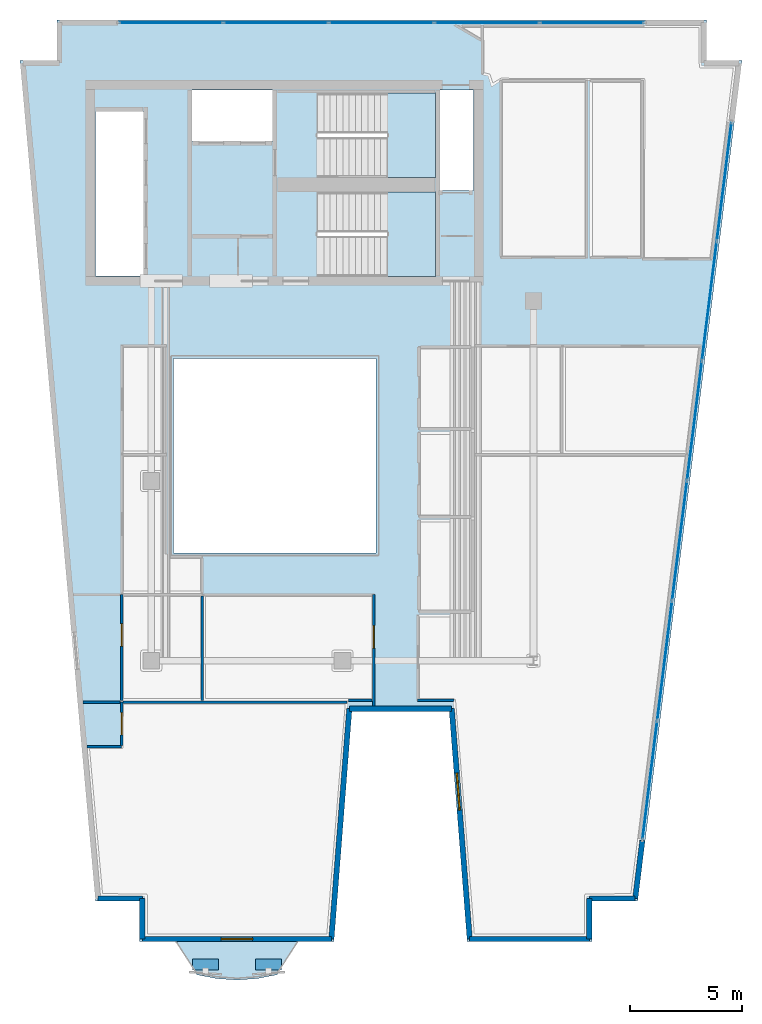
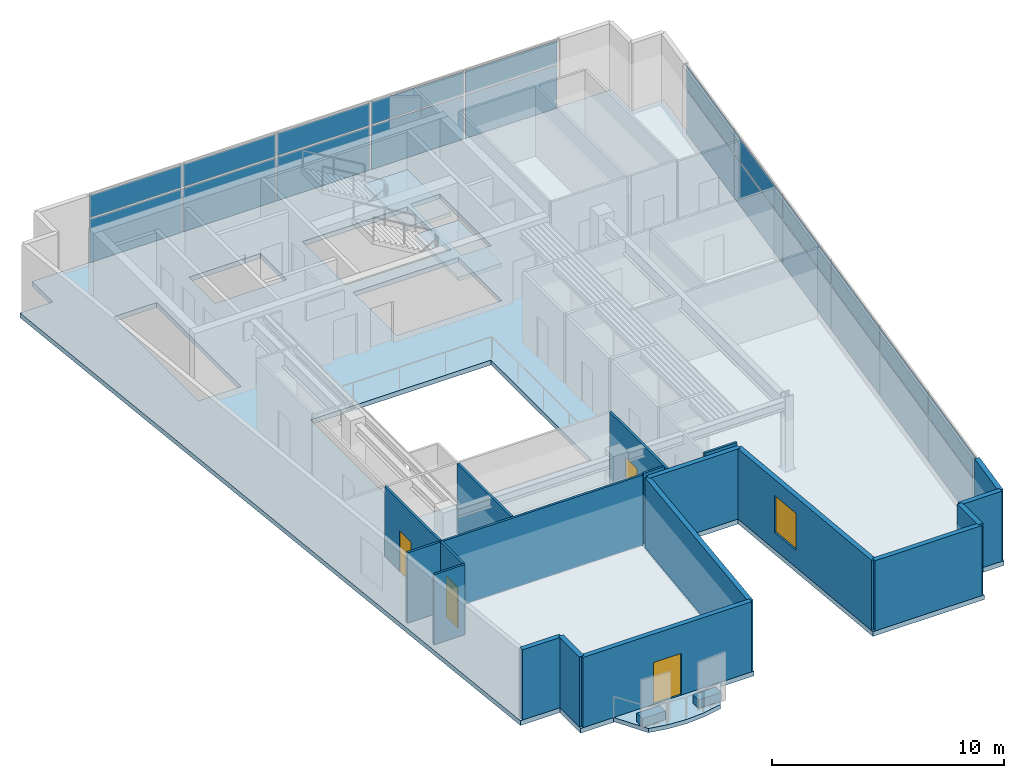
# One storey, part 3 of 8: 24 plates, 19 walls, 4 doors, 4 slabs, 1 window, 5 openings, 4 elements without a shape of their own.
"""IFC4 building model written with IfcOpenShell, lengths in metres."""

from ifc_helpers import new_model, si_unit, direction, frame, frame_2d, origin, origin_2d, place, context, subcontext, project, spatial, polyline, rectangle, outline, extrude, material, layer, layer_set, type_object, element, fill, aggregate, save


model = new_model("IFC4")

# Units and contexts
model_context = context("Model", 3, precision=1e-05, world=origin(), true_north=direction((0.0, 1.0)))
body_context = subcontext(model_context, "Body", "Model", "MODEL_VIEW")
ifc_project = project(units=[si_unit("LENGTHUNIT", "METRE"), si_unit("AREAUNIT", "SQUARE_METRE"), si_unit("VOLUMEUNIT", "CUBIC_METRE"), si_unit("PLANEANGLEUNIT", "RADIAN"), si_unit("MASSUNIT", "GRAM", prefix="KILO")], contexts=[model_context])

# Site, building, storey
site_placement = place(None, origin())
site = spatial("IfcSite", under=ifc_project, at=site_placement, CompositionType="ELEMENT")
building_placement = place(site_placement, origin())
building = spatial("IfcBuilding", under=site, at=building_placement, Name="Caeloran Harvest Quay", CompositionType="ELEMENT")
storey_placement = place(building_placement, frame((0.0, 0.0, 268.550048828125)))
storey = spatial("IfcBuildingStorey", under=building, at=storey_placement, Name="L64", CompositionType="ELEMENT", Elevation=268.550048828125)

# Slab
ifc_material_1 = material(Name="Concrete C50/60", Category="concrete")
ifc_layer_1 = layer(ifc_material_1, 0.219970703125, Name="Concrete C50/60")
ifc_layer_set_1 = layer_set([ifc_layer_1], Name="Concrete C50/60")
slab_type_1 = type_object("IfcSlabType", Name="BALCONY-BL-220", PredefinedType="FLOOR", material=ifc_layer_set_1)
slab_1_placement = place(storey_placement, frame((0.0, 0.0, -0.219970703125)))
element("IfcSlab", 1, at=slab_1_placement, inside=storey, type_object=slab_type_1, Name="L64 Scalloped Cantilevered Planted Balcony Slab", PredefinedType="FLOOR", context=body_context, shape_type="SweptSolid", body=[
    extrude(outline(polyline([(14.103515625, 1.033447265625), (13.20654296875, 0.860107421875), (12.3095703125, 0.796875), (11.41259765625, 0.860107421875), (10.515380859375, 1.033447265625), (9.630615234375, 2.5), (14.98828125, 2.5), (14.103515625, 1.033447265625)])), origin(), (0.0, 0.0, 1.0), 0.219970703125),
])

# Curtain wall, plates
ifc_material_2 = material(Name="Aluminium 6063-T6 and Low-E Glazing", Category="aluminium")
ifc_layer_2 = layer(ifc_material_2, 0.219970703125, Name="Aluminium 6063-T6 and Low-E Glazing")
ifc_layer_set_2 = layer_set([ifc_layer_2], Name="Aluminium 6063-T6 and Low-E Glazing")
curtain_wall_type = type_object("IfcCurtainWallType", Name="CW-SYS-CW-5", PredefinedType="USERDEFINED", material=ifc_layer_set_2)
curtain_wall_1_placement = place(storey_placement, origin())
curtain_wall_1 = element("IfcCurtainWall", 2, at=curtain_wall_1_placement, inside=storey, type_object=curtain_wall_type, Name="L64 Unitised Curtain Wall CW-5 Run 6", ObjectType="CURTAIN_WALL", PredefinedType="USERDEFINED")
ifc_material_3 = material(Name="Low-E Double Glazed Vision Glass Unit", Category="glass")
ifc_layer_3 = layer(ifc_material_3, 0.035888671875, Name="Low-E Double Glazed Vision Glass Unit")
ifc_layer_set_3 = layer_set([ifc_layer_3], Name="Low-E Double Glazed Vision Glass Unit")
plate_type_1 = type_object("IfcPlateType", Name="CW-VISION-PANEL", PredefinedType="CURTAIN_PANEL", material=ifc_layer_set_3)
plate_1_placement = place(storey_placement, frame((9.385986328125, 43.3798828125, 0.080078125), z_axis=(0.0, 0.0, 1.0), x_axis=(1.0, 0.0, 0.0)))
plate_1 = element("IfcPlate", 3, at=plate_1_placement, type_object=plate_type_1, Name="CW-5 panel 1.1", PredefinedType="CURTAIN_PANEL", context=body_context, shape_type="SweptSolid", body=[
    extrude(rectangle(XDim=4.572021484375, YDim=0.035888671875, at=origin_2d()), origin(), (0.0, 0.0, 1.0), 2.280029296875),
])
plate_2_placement = place(storey_placement, frame((9.385986328125, 43.3798828125, 2.43994140625), z_axis=(0.0, 0.0, 1.0), x_axis=(1.0, 0.0, 0.0)))
plate_2 = element("IfcPlate", 4, at=plate_2_placement, type_object=plate_type_1, Name="CW-5 panel 1.2", PredefinedType="CURTAIN_PANEL", context=body_context, shape_type="SweptSolid", body=[
    extrude(rectangle(XDim=4.572021484375, YDim=0.035888671875, at=origin_2d()), origin(), (0.0, 0.0, 1.0), 1.179931640625),
])
plate_3_placement = place(storey_placement, frame((14.05810546875, 43.3798828125, 0.080078125), z_axis=(0.0, 0.0, 1.0), x_axis=(1.0, 0.0, 0.0)))
plate_3 = element("IfcPlate", 5, at=plate_3_placement, type_object=plate_type_1, Name="CW-5 panel 2.1", PredefinedType="CURTAIN_PANEL", context=body_context, shape_type="SweptSolid", body=[
    extrude(rectangle(XDim=4.612060546875, YDim=0.035888671875, at=origin_2d()), origin(), (0.0, 0.0, 1.0), 2.280029296875),
])
plate_4_placement = place(storey_placement, frame((14.05810546875, 43.3798828125, 2.43994140625), z_axis=(0.0, 0.0, 1.0), x_axis=(1.0, 0.0, 0.0)))
plate_4 = element("IfcPlate", 6, at=plate_4_placement, type_object=plate_type_1, Name="CW-5 panel 2.2", PredefinedType="CURTAIN_PANEL", context=body_context, shape_type="SweptSolid", body=[
    extrude(rectangle(XDim=4.612060546875, YDim=0.035888671875, at=origin_2d()), origin(), (0.0, 0.0, 1.0), 1.179931640625),
])
plate_5_placement = place(storey_placement, frame((18.75, 43.3798828125, 0.080078125), z_axis=(0.0, 0.0, 1.0), x_axis=(1.0, 0.0, 0.0)))
plate_5 = element("IfcPlate", 7, at=plate_5_placement, type_object=plate_type_1, Name="CW-5 panel 3.1", PredefinedType="CURTAIN_PANEL", context=body_context, shape_type="SweptSolid", body=[
    extrude(rectangle(XDim=4.612060546875, YDim=0.035888671875, at=origin_2d()), origin(), (0.0, 0.0, 1.0), 2.280029296875),
])
plate_6_placement = place(storey_placement, frame((18.75, 43.3798828125, 2.43994140625), z_axis=(0.0, 0.0, 1.0), x_axis=(1.0, 0.0, 0.0)))
plate_6 = element("IfcPlate", 8, at=plate_6_placement, type_object=plate_type_1, Name="CW-5 panel 3.2", PredefinedType="CURTAIN_PANEL", context=body_context, shape_type="SweptSolid", body=[
    extrude(rectangle(XDim=4.612060546875, YDim=0.035888671875, at=origin_2d()), origin(), (0.0, 0.0, 1.0), 1.179931640625),
])
plate_7_placement = place(storey_placement, frame((23.44189453125, 43.3798828125, 0.080078125), z_axis=(0.0, 0.0, 1.0), x_axis=(1.0, 0.0, 0.0)))
plate_7 = element("IfcPlate", 9, at=plate_7_placement, type_object=plate_type_1, Name="CW-5 panel 4.1", PredefinedType="CURTAIN_PANEL", context=body_context, shape_type="SweptSolid", body=[
    extrude(rectangle(XDim=4.612060546875, YDim=0.035888671875, at=origin_2d()), origin(), (0.0, 0.0, 1.0), 2.280029296875),
])
plate_8_placement = place(storey_placement, frame((23.44189453125, 43.3798828125, 2.43994140625), z_axis=(0.0, 0.0, 1.0), x_axis=(1.0, 0.0, 0.0)))
plate_8 = element("IfcPlate", 10, at=plate_8_placement, type_object=plate_type_1, Name="CW-5 panel 4.2", PredefinedType="CURTAIN_PANEL", context=body_context, shape_type="SweptSolid", body=[
    extrude(rectangle(XDim=4.612060546875, YDim=0.035888671875, at=origin_2d()), origin(), (0.0, 0.0, 1.0), 1.179931640625),
])
plate_9_placement = place(storey_placement, frame((28.114013671875, 43.3798828125, 0.080078125), z_axis=(0.0, 0.0, 1.0), x_axis=(1.0, 0.0, 0.0)))
plate_9 = element("IfcPlate", 11, at=plate_9_placement, type_object=plate_type_1, Name="CW-5 panel 5.1", PredefinedType="CURTAIN_PANEL", context=body_context, shape_type="SweptSolid", body=[
    extrude(rectangle(XDim=4.572021484375, YDim=0.035888671875, at=origin_2d()), origin(), (0.0, 0.0, 1.0), 2.280029296875),
])
plate_10_placement = place(storey_placement, frame((28.114013671875, 43.3798828125, 2.43994140625), z_axis=(0.0, 0.0, 1.0), x_axis=(1.0, 0.0, 0.0)))
plate_10 = element("IfcPlate", 12, at=plate_10_placement, type_object=plate_type_1, Name="CW-5 panel 5.2", PredefinedType="CURTAIN_PANEL", context=body_context, shape_type="SweptSolid", body=[
    extrude(rectangle(XDim=4.572021484375, YDim=0.035888671875, at=origin_2d()), origin(), (0.0, 0.0, 1.0), 1.179931640625),
])
aggregate(curtain_wall_1, [plate_1, plate_2, plate_3, plate_4, plate_5, plate_6, plate_7, plate_8, plate_9, plate_10])

curtain_wall_2_placement = place(storey_placement, origin())
curtain_wall_2 = element("IfcCurtainWall", 13, at=curtain_wall_2_placement, inside=storey, type_object=curtain_wall_type, Name="L64 Unitised Curtain Wall CW-5 Run 9", ObjectType="CURTAIN_WALL", PredefinedType="USERDEFINED")
plate_11_placement = place(storey_placement, frame((33.987060546875, 36.313232421875, 0.080078125), z_axis=(0.0, 0.0, 1.0), x_axis=(-0.123190390176, -0.992383054958, 0.0)))
plate_11 = element("IfcPlate", 14, at=plate_11_placement, type_object=plate_type_1, Name="CW-5 panel 1.1", PredefinedType="CURTAIN_PANEL", context=body_context, shape_type="SweptSolid", body=[
    extrude(rectangle(XDim=5.254150390625, YDim=0.035888671875, at=origin_2d()), origin(), (0.0, 0.0, 1.0), 2.280029296875),
])
plate_12_placement = place(storey_placement, frame((33.987060546875, 36.313232421875, 2.43994140625), z_axis=(0.0, 0.0, 1.0), x_axis=(-0.123190390176, -0.992383054958, 0.0)))
plate_12 = element("IfcPlate", 15, at=plate_12_placement, type_object=plate_type_1, Name="CW-5 panel 1.2", PredefinedType="CURTAIN_PANEL", context=body_context, shape_type="SweptSolid", body=[
    extrude(rectangle(XDim=5.254150390625, YDim=0.035888671875, at=origin_2d()), origin(), (0.0, 0.0, 1.0), 1.179931640625),
])
plate_13_placement = place(storey_placement, frame((33.327392578125, 31.0, 0.080078125), z_axis=(0.0, 0.0, 1.0), x_axis=(-0.123190390176, -0.992383054958, 0.0)))
plate_13 = element("IfcPlate", 16, at=plate_13_placement, type_object=plate_type_1, Name="CW-5 panel 2.1", PredefinedType="CURTAIN_PANEL", context=body_context, shape_type="SweptSolid", body=[
    extrude(rectangle(XDim=5.294189453125, YDim=0.035888671875, at=origin_2d()), origin(), (0.0, 0.0, 1.0), 2.280029296875),
])
plate_14_placement = place(storey_placement, frame((33.327392578125, 31.0, 2.43994140625), z_axis=(0.0, 0.0, 1.0), x_axis=(-0.123190390176, -0.992383054958, 0.0)))
plate_14 = element("IfcPlate", 17, at=plate_14_placement, type_object=plate_type_1, Name="CW-5 panel 2.2", PredefinedType="CURTAIN_PANEL", context=body_context, shape_type="SweptSolid", body=[
    extrude(rectangle(XDim=5.294189453125, YDim=0.035888671875, at=origin_2d()), origin(), (0.0, 0.0, 1.0), 1.179931640625),
])
plate_15_placement = place(storey_placement, frame((32.665283203125, 25.666748046875, 0.080078125), z_axis=(0.0, 0.0, 1.0), x_axis=(-0.123190390176, -0.992383054958, 0.0)))
plate_15 = element("IfcPlate", 18, at=plate_15_placement, type_object=plate_type_1, Name="CW-5 panel 3.1", PredefinedType="CURTAIN_PANEL", context=body_context, shape_type="SweptSolid", body=[
    extrude(rectangle(XDim=5.294189453125, YDim=0.035888671875, at=origin_2d()), origin(), (0.0, 0.0, 1.0), 2.280029296875),
])
plate_16_placement = place(storey_placement, frame((32.665283203125, 25.666748046875, 2.43994140625), z_axis=(0.0, 0.0, 1.0), x_axis=(-0.123190390176, -0.992383054958, 0.0)))
plate_16 = element("IfcPlate", 19, at=plate_16_placement, type_object=plate_type_1, Name="CW-5 panel 3.2", PredefinedType="CURTAIN_PANEL", context=body_context, shape_type="SweptSolid", body=[
    extrude(rectangle(XDim=5.294189453125, YDim=0.035888671875, at=origin_2d()), origin(), (0.0, 0.0, 1.0), 1.179931640625),
])
plate_17_placement = place(storey_placement, frame((32.00341796875, 20.333251953125, 0.080078125), z_axis=(0.0, 0.0, 1.0), x_axis=(-0.123190390176, -0.992383054958, 0.0)))
plate_17 = element("IfcPlate", 20, at=plate_17_placement, type_object=plate_type_1, Name="CW-5 panel 4.1", PredefinedType="CURTAIN_PANEL", context=body_context, shape_type="SweptSolid", body=[
    extrude(rectangle(XDim=5.294189453125, YDim=0.035888671875, at=origin_2d()), origin(), (0.0, 0.0, 1.0), 2.280029296875),
])
plate_18_placement = place(storey_placement, frame((32.00341796875, 20.333251953125, 2.43994140625), z_axis=(0.0, 0.0, 1.0), x_axis=(-0.123190390176, -0.992383054958, 0.0)))
plate_18 = element("IfcPlate", 21, at=plate_18_placement, type_object=plate_type_1, Name="CW-5 panel 4.2", PredefinedType="CURTAIN_PANEL", context=body_context, shape_type="SweptSolid", body=[
    extrude(rectangle(XDim=5.294189453125, YDim=0.035888671875, at=origin_2d()), origin(), (0.0, 0.0, 1.0), 1.179931640625),
])
plate_19_placement = place(storey_placement, frame((31.34130859375, 15.0, 0.080078125), z_axis=(0.0, 0.0, 1.0), x_axis=(-0.123190390176, -0.992383054958, 0.0)))
plate_19 = element("IfcPlate", 22, at=plate_19_placement, type_object=plate_type_1, Name="CW-5 panel 5.1", PredefinedType="CURTAIN_PANEL", context=body_context, shape_type="SweptSolid", body=[
    extrude(rectangle(XDim=5.294189453125, YDim=0.035888671875, at=origin_2d()), origin(), (0.0, 0.0, 1.0), 2.280029296875),
])
plate_20_placement = place(storey_placement, frame((31.34130859375, 15.0, 2.43994140625), z_axis=(0.0, 0.0, 1.0), x_axis=(-0.123190390176, -0.992383054958, 0.0)))
plate_20 = element("IfcPlate", 23, at=plate_20_placement, type_object=plate_type_1, Name="CW-5 panel 5.2", PredefinedType="CURTAIN_PANEL", context=body_context, shape_type="SweptSolid", body=[
    extrude(rectangle(XDim=5.294189453125, YDim=0.035888671875, at=origin_2d()), origin(), (0.0, 0.0, 1.0), 1.179931640625),
])
plate_21_placement = place(storey_placement, frame((30.681640625, 9.686767578125, 0.080078125), z_axis=(0.0, 0.0, 1.0), x_axis=(-0.123190390176, -0.992383054958, 0.0)))
plate_21 = element("IfcPlate", 24, at=plate_21_placement, type_object=plate_type_1, Name="CW-5 panel 6.1", PredefinedType="CURTAIN_PANEL", context=body_context, shape_type="SweptSolid", body=[
    extrude(rectangle(XDim=5.254150390625, YDim=0.035888671875, at=origin_2d()), origin(), (0.0, 0.0, 1.0), 2.280029296875),
])
plate_22_placement = place(storey_placement, frame((30.681640625, 9.686767578125, 2.43994140625), z_axis=(0.0, 0.0, 1.0), x_axis=(-0.123190390176, -0.992383054958, 0.0)))
plate_22 = element("IfcPlate", 25, at=plate_22_placement, type_object=plate_type_1, Name="CW-5 panel 6.2", PredefinedType="CURTAIN_PANEL", context=body_context, shape_type="SweptSolid", body=[
    extrude(rectangle(XDim=5.254150390625, YDim=0.035888671875, at=origin_2d()), origin(), (0.0, 0.0, 1.0), 1.179931640625),
])
aggregate(curtain_wall_2, [plate_11, plate_12, plate_13, plate_14, plate_15, plate_16, plate_17, plate_18, plate_19, plate_20, plate_21, plate_22])

# Plates
ifc_material_4 = material(Name="Precast concrete C50/60", Category="concrete")
ifc_layer_4 = layer(ifc_material_4, 0.449951171875, Name="Precast concrete C50/60")
ifc_layer_set_4 = layer_set([ifc_layer_4], Name="Precast concrete C50/60")
plate_type_2 = type_object("IfcPlateType", Name="PLANTER-TROUGH-450", PredefinedType="USERDEFINED", material=ifc_layer_set_4)
for number, where, z_axis, x_axis, name in (
    (26, (13.708740234375, 1.489501953125, 0.0), (0.0, 0.0, 1.0), (1.0, 0.0, 0.0), "L64 Balcony Vertical-Greenery Precast PLANTER Trough 1"),
    (27, (10.91015625, 1.489501953125, 0.0), (0.0, 0.0, 1.0), (1.0, 0.0, 0.0), "L64 Balcony Vertical-Greenery Precast PLANTER Trough 2"),
):
    element("IfcPlate", number, at=place(storey_placement, frame(where, z_axis=z_axis, x_axis=x_axis)), inside=storey, type_object=plate_type_2, Name=name, ObjectType="PLANTER", PredefinedType="USERDEFINED", context=body_context, shape_type="SweptSolid", body=[
        extrude(rectangle(XDim=1.14990234375, YDim=0.47998046875, at=origin_2d()), origin(), (0.0, 0.0, 1.0), 0.449951171875),
    ])

# Slab
ifc_layer_5 = layer(ifc_material_1, 0.25, Name="Concrete C50/60")
ifc_layer_set_5 = layer_set([ifc_layer_5], Name="Concrete C50/60")
slab_type_2 = type_object("IfcSlabType", Name="SLAB-FS-250", PredefinedType="FLOOR", material=ifc_layer_set_5)
slab_2_placement = place(storey_placement, frame((0.0, 0.0, -0.25)))
element("IfcSlab", 28, at=slab_2_placement, inside=storey, type_object=slab_type_2, Name="L64 Structural Floor Slab", PredefinedType="FLOOR", context=body_context, shape_type="SweptSolid", body=[
    extrude(outline(polyline([(7.985595703125, 2.5), (16.62451171875, 2.5), (17.424560546875, 12.75), (21.755615234375, 12.75), (22.5556640625, 2.5), (28.110595703125, 2.5), (28.110595703125, 4.300048828125), (30.1337890625, 4.300048828125), (34.776611328125, 41.699951171875), (33.199951171875, 41.699951171875), (33.199951171875, 43.5), (4.300048828125, 43.5), (4.300048828125, 41.699951171875), (2.661865234375, 41.699951171875), (6.023681640625, 4.300048828125), (7.985595703125, 4.300048828125), (7.985595703125, 2.5)]), holes=[polyline([(18.5, 28.449951171875), (18.5, 19.800048828125), (9.5, 19.800048828125), (9.5, 28.449951171875), (18.5, 28.449951171875)]), polyline([(15.89990234375, 32.10009765625), (15.89990234375, 35.85009765625), (21.14990234375, 35.85009765625), (21.14990234375, 32.10009765625), (15.89990234375, 32.10009765625)]), polyline([(8.159912109375, 32.1201171875), (6.02001953125, 32.1201171875), (6.02001953125, 39.419921875), (8.159912109375, 39.419921875), (8.159912109375, 32.1201171875)]), polyline([(22.830078125, 40.3798828125), (22.830078125, 35.919921875), (21.35009765625, 35.919921875), (21.35009765625, 40.3798828125), (22.830078125, 40.3798828125)]), polyline([(15.89990234375, 36.5), (15.89990234375, 40.25), (21.14990234375, 40.25), (21.14990234375, 36.5), (15.89990234375, 36.5)]), polyline([(13.89990234375, 38.1201171875), (10.320068359375, 38.1201171875), (10.320068359375, 40.3798828125), (13.89990234375, 40.3798828125), (13.89990234375, 38.1201171875)])]), origin(), (0.0, 0.0, 1.0), 0.25),
])

# Stair, slab
stair_type = type_object("IfcStairType", Name="STAIR-STC-180", PredefinedType="HALF_TURN_STAIR", material=ifc_material_1)
stair_1_placement = place(storey_placement, origin())
stair_1 = element("IfcStair", 29, at=stair_1_placement, inside=storey, type_object=stair_type, Name="L64 Core Pressurized Exit Stair ST-C1", PredefinedType="HALF_TURN_STAIR")
ifc_layer_6 = layer(ifc_material_1, 0.219970703125, Name="Concrete C50/60")
ifc_layer_set_6 = layer_set([ifc_layer_6], Name="Concrete C50/60")
slab_type_3 = type_object("IfcSlabType", Name="STAIR-LANDING-220", PredefinedType="LANDING", material=ifc_layer_set_6)
slab_3_placement = place(storey_placement, frame((0.0, 0.0, 1.77490234375)))
slab_3 = element("IfcSlab", 30, at=slab_3_placement, type_object=slab_type_3, Name="ST-C1 landing 1", PredefinedType="LANDING", context=body_context, shape_type="SweptSolid", body=[
    extrude(outline(polyline([(18.97998046875, 36.5), (21.14990234375, 36.5), (21.14990234375, 40.25), (18.97998046875, 40.25), (18.97998046875, 36.5)])), origin(), (0.0, 0.0, 1.0), 0.199951171875),
])
aggregate(stair_1, [slab_3])

stair_2_placement = place(storey_placement, origin())
stair_2 = element("IfcStair", 31, at=stair_2_placement, inside=storey, type_object=stair_type, Name="L64 Core Pressurized Exit Stair ST-C2", PredefinedType="HALF_TURN_STAIR")
slab_4_placement = place(storey_placement, frame((0.0, 0.0, 1.77490234375)))
slab_4 = element("IfcSlab", 32, at=slab_4_placement, type_object=slab_type_3, Name="ST-C2 landing 1", PredefinedType="LANDING", context=body_context, shape_type="SweptSolid", body=[
    extrude(outline(polyline([(18.97998046875, 32.10009765625), (21.14990234375, 32.10009765625), (21.14990234375, 35.85009765625), (18.97998046875, 35.85009765625), (18.97998046875, 32.10009765625)])), origin(), (0.0, 0.0, 1.0), 0.199951171875),
])
aggregate(stair_2, [slab_4])

# Walls
ifc_layer_7 = layer(ifc_material_4, 0.239990234375, Name="Precast concrete C50/60")
ifc_layer_set_7 = layer_set([ifc_layer_7], Name="Precast concrete C50/60")
wall_type_1 = type_object("IfcWallType", Name="ENV-WALL-EW-240", PredefinedType="STANDARD", material=ifc_layer_set_7)
wall_1_placement = place(storey_placement, frame((8.10546875, 2.6201171875, 0.0), z_axis=(0.0, 0.0, 1.0), x_axis=(0.0, 1.0, 0.0)))
element("IfcWall", 33, at=wall_1_placement, inside=storey, type_object=wall_type_1, Name="L64 Exterior Precast Concrete Facade Wall 1", PredefinedType="STANDARD", context=body_context, shape_type="SweptSolid", body=[
    extrude(rectangle(XDim=1.7998046875, YDim=0.239990234375, at=frame_2d((0.89990234375, 0.0))), origin(), (0.0, 0.0, 1.0), 3.699951171875),
])
wall_2_placement = place(storey_placement, frame((8.10546875, 4.419921875, 0.0), z_axis=(0.0, 0.0, 1.0), x_axis=(-1.0, 0.0, 0.0)))
element("IfcWall", 34, at=wall_2_placement, inside=storey, type_object=wall_type_1, Name="L64 Exterior Precast Concrete Facade Wall 2", PredefinedType="STANDARD", context=body_context, shape_type="SweptSolid", body=[
    extrude(rectangle(XDim=1.97216796875, YDim=0.239990234375, at=frame_2d((0.986083984375, 0.0))), origin(), (0.0, 0.0, 1.0), 3.699951171875),
])
wall_3_placement = place(storey_placement, frame((30.34814453125, 7.000244140625, 0.0), z_axis=(0.0, 0.0, 1.0), x_axis=(-0.123191073593, -0.992382970121, 0.0)))
element("IfcWall", 35, at=wall_3_placement, inside=storey, type_object=wall_type_1, Name="L64 Exterior Facade Corner Pier Wall 9B", PredefinedType="STANDARD", context=body_context, shape_type="SweptSolid", body=[
    extrude(rectangle(XDim=2.60009765625, YDim=0.239990234375, at=frame_2d((1.300048828125, 0.0))), origin(), (0.0, 0.0, 1.0), 3.699951171875),
])
wall_4_placement = place(storey_placement, frame((30.02783203125, 4.419921875, 0.0), z_axis=(0.0, 0.0, 1.0), x_axis=(-1.0, 0.0, 0.0)))
element("IfcWall", 36, at=wall_4_placement, inside=storey, type_object=wall_type_1, Name="L64 Exterior Precast Concrete Facade Wall 10", PredefinedType="STANDARD", context=body_context, shape_type="SweptSolid", body=[
    extrude(rectangle(XDim=2.037353515625, YDim=0.239990234375, at=frame_2d((1.0185546875, 0.0))), origin(), (0.0, 0.0, 1.0), 3.699951171875),
])
wall_5_placement = place(storey_placement, frame((27.990478515625, 4.419921875, 0.0), z_axis=(0.0, 0.0, 1.0), x_axis=(0.0, -1.0, 0.0)))
element("IfcWall", 37, at=wall_5_placement, inside=storey, type_object=wall_type_1, Name="L64 Exterior Precast Concrete Facade Wall 11", PredefinedType="STANDARD", context=body_context, shape_type="SweptSolid", body=[
    extrude(rectangle(XDim=1.7998046875, YDim=0.239990234375, at=frame_2d((0.89990234375, 0.0))), origin(), (0.0, 0.0, 1.0), 3.699951171875),
])
wall_6_placement = place(storey_placement, frame((27.990478515625, 2.6201171875, 0.0), z_axis=(0.0, 0.0, 1.0), x_axis=(-1.0, 0.0, 0.0)))
element("IfcWall", 38, at=wall_6_placement, inside=storey, type_object=wall_type_1, Name="L64 Exterior Precast Concrete Facade Wall 12", PredefinedType="STANDARD", context=body_context, shape_type="SweptSolid", body=[
    extrude(rectangle(XDim=5.32373046875, YDim=0.239990234375, at=frame_2d((2.661865234375, 0.0))), origin(), (0.0, 0.0, 1.0), 3.699951171875),
])

# Wall, opening, window
wall_7_placement = place(storey_placement, frame((22.666748046875, 2.6201171875, 0.0), z_axis=(0.0, 0.0, 1.0), x_axis=(-0.077816860153, 0.996967670627, 0.0)))
wall_7 = element("IfcWall", 39, at=wall_7_placement, inside=storey, type_object=wall_type_1, Name="L64 Exterior Precast Concrete Facade Wall 13", PredefinedType="STANDARD", context=body_context, shape_type="SweptSolid", body=[
    extrude(rectangle(XDim=10.28125, YDim=0.239990234375, at=frame_2d((5.140625, 0.0))), origin(), (0.0, 0.0, 1.0), 3.699951171875),
])
opening_1_placement = place(wall_7_placement, frame((5.7548828125, 0.0, 0.89990234375)))
opening_1 = element("IfcOpeningElement", 40, at=opening_1_placement, cuts=wall_7, Name="Opening W-08", PredefinedType="OPENING", context=body_context, shape_type="SweptSolid", body=[
    extrude(rectangle(XDim=1.64990234375, YDim=1.949951171875, at=frame_2d((0.824951171875, 0.97509765625))), frame((0.0, 0.1298828125, 0.0), z_axis=(0.0, -1.0, 0.0), x_axis=(1.0, 0.0, 0.0)), (0.0, 0.0, 1.0), 0.260009765625),
])
ifc_material_5 = material(Name="Aluminium-Framed Low-E Laminated Glass", Category="aluminium")
window_type = type_object("IfcWindowType", Name="WIN-W-08", PartitioningType="SINGLE_PANEL", PredefinedType="WINDOW", material=ifc_material_5)
window_placement = place(opening_1_placement, origin())
window = element("IfcWindow", 41, at=window_placement, inside=storey, type_object=window_type, Name="L64 Facade Punched Window W-08", OverallHeight=1.949951171875, OverallWidth=1.64990234375, PartitioningType="SINGLE_PANEL", PredefinedType="WINDOW", context=body_context, shape_type="SweptSolid", body=[
    extrude(rectangle(XDim=1.64990234375, YDim=1.949951171875, at=frame_2d((0.824951171875, 0.97509765625))), frame((0.0, 0.030029296875, 0.0), z_axis=(0.0, -1.0, 0.0), x_axis=(1.0, 0.0, 0.0)), (0.0, 0.0, 1.0), 0.06005859375),
])
fill(opening_1, window)

# Walls
wall_8_placement = place(storey_placement, frame((21.86669921875, 12.8701171875, 0.0), z_axis=(0.0, 0.0, 1.0), x_axis=(-1.0, 0.0, 0.0)))
element("IfcWall", 42, at=wall_8_placement, inside=storey, type_object=wall_type_1, Name="L64 Exterior Precast Concrete Facade Wall 14", PredefinedType="STANDARD", context=body_context, shape_type="SweptSolid", body=[
    extrude(rectangle(XDim=4.55322265625, YDim=0.239990234375, at=frame_2d((2.276611328125, 0.0))), origin(), (0.0, 0.0, 1.0), 3.699951171875),
])
wall_9_placement = place(storey_placement, frame((17.3134765625, 12.8701171875, 0.0), z_axis=(0.0, 0.0, 1.0), x_axis=(-0.077816860153, -0.996967670627, 0.0)))
element("IfcWall", 43, at=wall_9_placement, inside=storey, type_object=wall_type_1, Name="L64 Exterior Precast Concrete Facade Wall 15", PredefinedType="STANDARD", context=body_context, shape_type="SweptSolid", body=[
    extrude(rectangle(XDim=10.28125, YDim=0.239990234375, at=frame_2d((5.140625, 0.0))), origin(), (0.0, 0.0, 1.0), 3.699951171875),
])

# Wall, opening, door
wall_10_placement = place(storey_placement, frame((16.513427734375, 2.6201171875, 0.0), z_axis=(0.0, 0.0, 1.0), x_axis=(-1.0, 0.0, 0.0)))
wall_10 = element("IfcWall", 44, at=wall_10_placement, inside=storey, type_object=wall_type_1, Name="L64 Exterior Precast Concrete Facade Wall 16", PredefinedType="STANDARD", context=body_context, shape_type="SweptSolid", body=[
    extrude(rectangle(XDim=8.407958984375, YDim=0.239990234375, at=frame_2d((4.2041015625, 0.0))), origin(), (0.0, 0.0, 1.0), 3.699951171875),
])
opening_2_placement = place(wall_10_placement, frame((3.50390625, 0.0, 0.0)))
opening_2 = element("IfcOpeningElement", 45, at=opening_2_placement, cuts=wall_10, Name="Opening BD-02", PredefinedType="OPENING", context=body_context, shape_type="SweptSolid", body=[
    extrude(rectangle(XDim=1.39990234375, YDim=2.199951171875, at=frame_2d((0.699951171875, 1.10009765625))), frame((0.0, 0.1298828125, 0.0), z_axis=(0.0, -1.0, 0.0), x_axis=(1.0, 0.0, 0.0)), (0.0, 0.0, 1.0), 0.260009765625),
])
ifc_material_6 = material(Name="Thermally Broken Powder-Coated Aluminium and Safety Glass", Category="aluminium")
door_type_1 = type_object("IfcDoorType", Name="EXTDOOR-BD-02", OperationType="NOTDEFINED", PredefinedType="DOOR", material=ifc_material_6)
door_1_placement = place(opening_2_placement, origin())
door_1 = element("IfcDoor", 46, at=door_1_placement, inside=storey, type_object=door_type_1, Name="L64 Planted Balcony Glazed Access Door", OperationType="SINGLE_SWING_LEFT", OverallHeight=2.199951171875, OverallWidth=1.39990234375, PredefinedType="DOOR", context=body_context, shape_type="SweptSolid", body=[
    extrude(rectangle(XDim=1.39990234375, YDim=2.199951171875, at=frame_2d((0.699951171875, 1.10009765625))), frame((0.0, 0.02490234375, 0.0), z_axis=(0.0, -1.0, 0.0), x_axis=(1.0, 0.0, 0.0)), (0.0, 0.0, 1.0), 0.050048828125),
])
fill(opening_2, door_1)

# Wall
ifc_material_7 = material(Name="Single-Stud Acoustic Gypsum Office Partition", Category="gypsum")
ifc_layer_8 = layer(ifc_material_7, 0.112060546875, Name="Single-Stud Acoustic Gypsum Office Partition")
ifc_layer_set_8 = layer_set([ifc_layer_8], Name="Single-Stud Acoustic Gypsum Office Partition")
wall_type_2 = type_object("IfcWallType", Name="INT-WALL-PW-112", PredefinedType="PARTITIONING", material=ifc_layer_set_8)
wall_11_placement = place(storey_placement, frame((5.652099609375, 11.169921875, 0.0), z_axis=(0.0, 0.0, 1.0), x_axis=(1.0, 0.0, 0.0)))
element("IfcWall", 47, at=wall_11_placement, inside=storey, type_object=wall_type_2, Name="Climate Diplomacy Seminar Hall Partition Wall", PredefinedType="PARTITIONING", context=body_context, shape_type="SweptSolid", body=[
    extrude(rectangle(XDim=1.52783203125, YDim=0.112060546875, at=frame_2d((0.763916015625, 0.0))), origin(), (0.0, 0.0, 1.0), 3.699951171875),
])

# Wall, opening, door
wall_12_placement = place(storey_placement, frame((7.179931640625, 11.23095703125, 0.0), z_axis=(0.0, 0.0, 1.0), x_axis=(0.0, 1.0, 0.0)))
wall_12 = element("IfcWall", 48, at=wall_12_placement, inside=storey, type_object=wall_type_2, Name="Climate Diplomacy Seminar Hall Partition Wall", PredefinedType="PARTITIONING", context=body_context, shape_type="SweptSolid", body=[
    extrude(rectangle(XDim=1.928955078125, YDim=0.112060546875, at=frame_2d((0.96435546875, 0.0))), origin(), (0.0, 0.0, 1.0), 3.699951171875),
])
opening_3_placement = place(wall_12_placement, frame((0.464599609375, 0.0, 0.0)))
opening_3 = element("IfcOpeningElement", 49, at=opening_3_placement, cuts=wall_12, Name="Opening ID-01", PredefinedType="OPENING", context=body_context, shape_type="SweptSolid", body=[
    extrude(rectangle(XDim=1.0, YDim=2.14990234375, at=frame_2d((0.5, 1.074951171875))), frame((0.0, 0.06591796875, 0.0), z_axis=(0.0, -1.0, 0.0), x_axis=(1.0, 0.0, 0.0)), (0.0, 0.0, 1.0), 0.132080078125),
])
ifc_material_8 = material(Name="FSC Solid-Core Ash Timber and Acoustic Seal", Category="wood")
door_type_2 = type_object("IfcDoorType", Name="INTDOOR-ID-01", OperationType="NOTDEFINED", PredefinedType="DOOR", material=ifc_material_8)
door_2_placement = place(opening_3_placement, origin())
door_2 = element("IfcDoor", 50, at=door_2_placement, inside=storey, type_object=door_type_2, Name="Climate Diplomacy Seminar Hall Access Door", OperationType="SINGLE_SWING_RIGHT", OverallHeight=2.14990234375, OverallWidth=1.0, PredefinedType="DOOR", context=body_context, shape_type="SweptSolid", body=[
    extrude(rectangle(XDim=1.0, YDim=2.14990234375, at=frame_2d((0.5, 1.074951171875))), frame((0.0, 0.02490234375, 0.0), z_axis=(0.0, -1.0, 0.0), x_axis=(1.0, 0.0, 0.0)), (0.0, 0.0, 1.0), 0.050048828125),
])
fill(opening_3, door_2)

# Walls
wall_13_placement = place(storey_placement, frame((5.473388671875, 13.159912109375, 0.0), z_axis=(0.0, 0.0, 1.0), x_axis=(1.0, 0.0, 0.0)))
element("IfcWall", 51, at=wall_13_placement, inside=storey, type_object=wall_type_2, Name="Climate Diplomacy Seminar Hall Partition Wall", PredefinedType="PARTITIONING", context=body_context, shape_type="SweptSolid", body=[
    extrude(rectangle(XDim=1.6455078125, YDim=0.112060546875, at=frame_2d((0.82275390625, 0.0))), origin(), (0.0, 0.0, 1.0), 3.699951171875),
])
wall_14_placement = place(storey_placement, frame((7.240966796875, 13.159912109375, 0.0), z_axis=(0.0, 0.0, 1.0), x_axis=(1.0, 0.0, 0.0)))
element("IfcWall", 52, at=wall_14_placement, inside=storey, type_object=wall_type_2, Name="Climate Diplomacy Seminar Hall Partition Wall", PredefinedType="PARTITIONING", context=body_context, shape_type="SweptSolid", body=[
    extrude(rectangle(XDim=9.97509765625, YDim=0.112060546875, at=frame_2d((4.987548828125, 0.0))), origin(), (0.0, 0.0, 1.0), 3.699951171875),
])
wall_15_placement = place(storey_placement, frame((21.9580078125, 13.239990234375, 0.0), z_axis=(0.0, 0.0, 1.0), x_axis=(-1.0, 0.0, 0.0)))
element("IfcWall", 53, at=wall_15_placement, inside=storey, type_object=wall_type_2, Name="International Policy Conference Room Partition Wall", PredefinedType="PARTITIONING", context=body_context, shape_type="SweptSolid", body=[
    extrude(rectangle(XDim=1.60791015625, YDim=0.112060546875, at=frame_2d((0.803955078125, 0.0))), origin(), (0.0, 0.0, 1.0), 3.699951171875),
])

# Wall, opening, door
wall_16_placement = place(storey_placement, frame((7.179931640625, 13.239990234375, 0.0), z_axis=(0.0, 0.0, 1.0), x_axis=(0.0, 1.0, 0.0)))
wall_16 = element("IfcWall", 54, at=wall_16_placement, inside=storey, type_object=wall_type_2, Name="Translation Briefing Room Partition Wall", PredefinedType="PARTITIONING", context=body_context, shape_type="SweptSolid", body=[
    extrude(rectangle(XDim=4.699951171875, YDim=0.112060546875, at=frame_2d((2.35009765625, 0.0))), origin(), (0.0, 0.0, 1.0), 3.699951171875),
])
opening_4_placement = place(wall_16_placement, frame((2.403564453125, 0.0, 0.0)))
opening_4 = element("IfcOpeningElement", 55, at=opening_4_placement, cuts=wall_16, Name="Opening ID-01", PredefinedType="OPENING", context=body_context, shape_type="SweptSolid", body=[
    extrude(rectangle(XDim=1.0, YDim=2.14990234375, at=frame_2d((0.5, 1.074951171875))), frame((0.0, 0.06591796875, 0.0), z_axis=(0.0, -1.0, 0.0), x_axis=(1.0, 0.0, 0.0)), (0.0, 0.0, 1.0), 0.132080078125),
])
door_3_placement = place(opening_4_placement, origin())
door_3 = element("IfcDoor", 56, at=door_3_placement, inside=storey, type_object=door_type_2, Name="Translation Briefing Room Access Door", OperationType="SINGLE_SWING_RIGHT", OverallHeight=2.14990234375, OverallWidth=1.0, PredefinedType="DOOR", context=body_context, shape_type="SweptSolid", body=[
    extrude(rectangle(XDim=1.0, YDim=2.14990234375, at=frame_2d((0.5, 1.074951171875))), frame((0.0, 0.02490234375, 0.0), z_axis=(0.0, -1.0, 0.0), x_axis=(1.0, 0.0, 0.0)), (0.0, 0.0, 1.0), 0.050048828125),
])
fill(opening_4, door_3)

# Wall
wall_17_placement = place(storey_placement, frame((10.760009765625, 17.87890625, 0.0), z_axis=(0.0, 0.0, 1.0), x_axis=(0.0, -1.0, 0.0)))
element("IfcWall", 57, at=wall_17_placement, inside=storey, type_object=wall_type_2, Name="Translation Briefing Room Partition Wall", PredefinedType="PARTITIONING", context=body_context, shape_type="SweptSolid", body=[
    extrude(rectangle(XDim=4.638916015625, YDim=0.112060546875, at=frame_2d((2.3193359375, 0.0))), origin(), (0.0, 0.0, 1.0), 3.699951171875),
])

# Wall, opening, door
wall_18_placement = place(storey_placement, frame((18.389892578125, 17.93994140625, 0.0), z_axis=(0.0, 0.0, 1.0), x_axis=(0.0, -1.0, 0.0)))
wall_18 = element("IfcWall", 58, at=wall_18_placement, inside=storey, type_object=wall_type_2, Name="Treaty Archive Library Room Partition Wall", PredefinedType="PARTITIONING", context=body_context, shape_type="SweptSolid", body=[
    extrude(rectangle(XDim=4.94482421875, YDim=0.112060546875, at=frame_2d((2.472412109375, 0.0))), origin(), (0.0, 0.0, 1.0), 3.699951171875),
])
opening_5_placement = place(wall_18_placement, frame((1.379638671875, 0.0, 0.0)))
opening_5 = element("IfcOpeningElement", 59, at=opening_5_placement, cuts=wall_18, Name="Opening ID-01", PredefinedType="OPENING", context=body_context, shape_type="SweptSolid", body=[
    extrude(rectangle(XDim=1.0, YDim=2.14990234375, at=frame_2d((0.5, 1.074951171875))), frame((0.0, 0.06591796875, 0.0), z_axis=(0.0, -1.0, 0.0), x_axis=(1.0, 0.0, 0.0)), (0.0, 0.0, 1.0), 0.132080078125),
])
door_4_placement = place(opening_5_placement, origin())
door_4 = element("IfcDoor", 60, at=door_4_placement, inside=storey, type_object=door_type_2, Name="Treaty Archive Library Room Access Door", OperationType="SINGLE_SWING_RIGHT", OverallHeight=2.14990234375, OverallWidth=1.0, PredefinedType="DOOR", context=body_context, shape_type="SweptSolid", body=[
    extrude(rectangle(XDim=1.0, YDim=2.14990234375, at=frame_2d((0.5, 1.074951171875))), frame((0.0, 0.02490234375, 0.0), z_axis=(0.0, -1.0, 0.0), x_axis=(1.0, 0.0, 0.0)), (0.0, 0.0, 1.0), 0.050048828125),
])
fill(opening_5, door_4)

# Wall
wall_19_placement = place(storey_placement, frame((18.3291015625, 13.239990234375, 0.0), z_axis=(0.0, 0.0, 1.0), x_axis=(-1.0, 0.0, 0.0)))
element("IfcWall", 61, at=wall_19_placement, inside=storey, type_object=wall_type_2, Name="Treaty Archive Library Room Partition Wall", PredefinedType="PARTITIONING", context=body_context, shape_type="SweptSolid", body=[
    extrude(rectangle(XDim=1.049560546875, YDim=0.112060546875, at=frame_2d((0.52490234375, 0.0))), origin(), (0.0, 0.0, 1.0), 3.699951171875),
])

save(model, "model.ifc")
